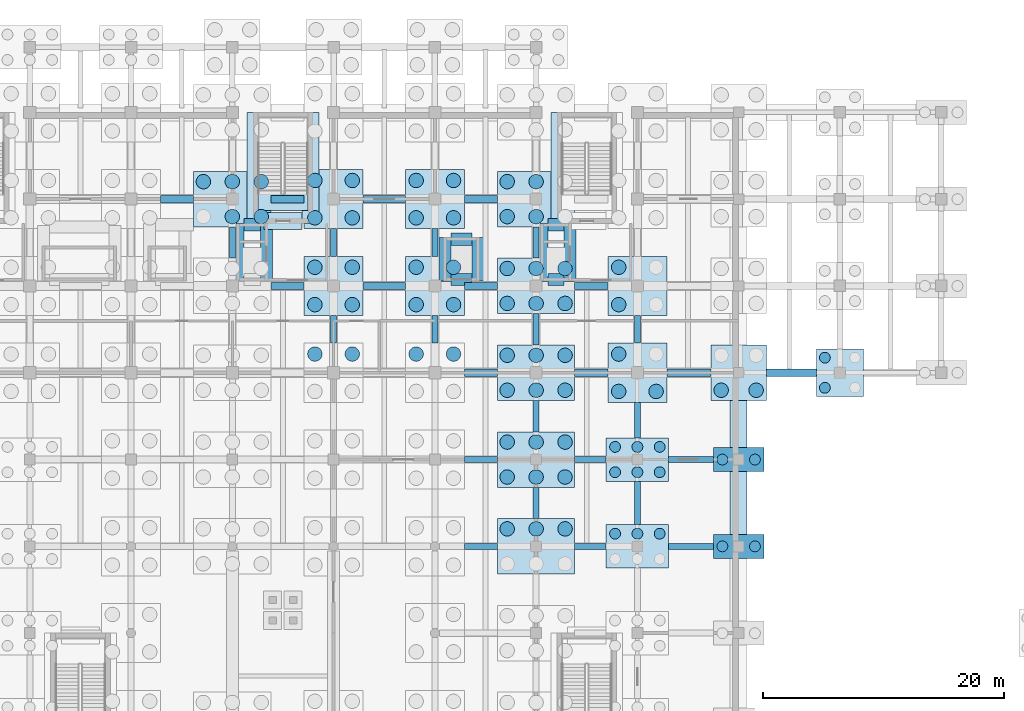
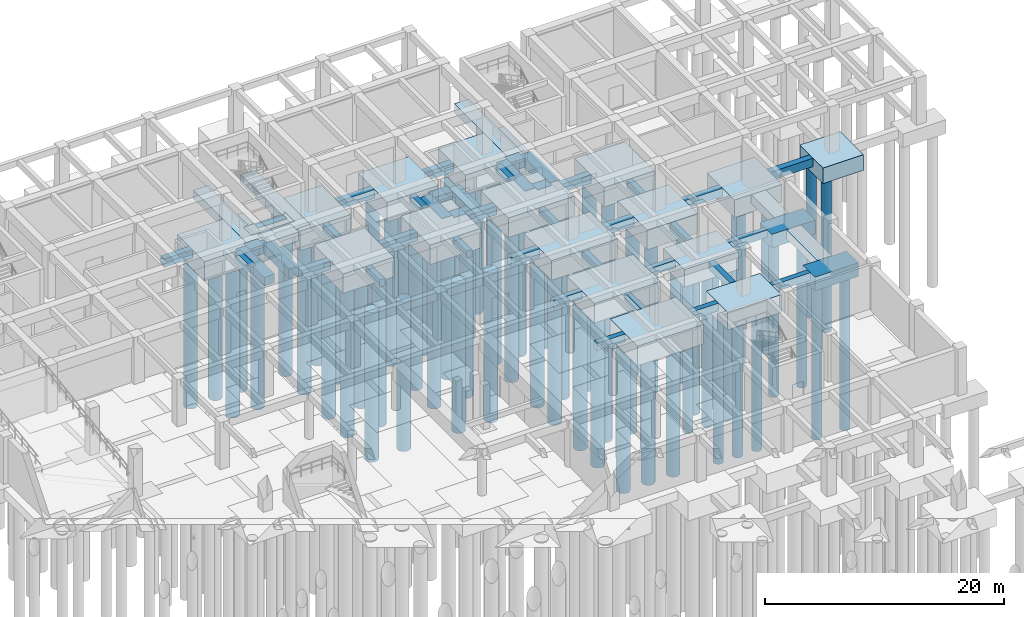
# One storey, part 8 of 26: 72 piles, 66 footings.
"""IFC4 building model written with IfcOpenShell, lengths in metres."""

from ifc_helpers import new_model, si_unit, direction, frame, origin, origin_2d, place, context, subcontext, project, spatial, rectangle, circle, extrude, material, material_profile, profile_set, type_object, element, save


model = new_model("IFC4")

# Units and contexts
model_context = context("Model", 3, precision=1e-05, world=origin(), true_north=direction((0.0, 1.0)))
body_context = subcontext(model_context, "Body", "Model", "MODEL_VIEW")
ifc_project = project(units=[si_unit("LENGTHUNIT", "METRE"), si_unit("AREAUNIT", "SQUARE_METRE"), si_unit("VOLUMEUNIT", "CUBIC_METRE"), si_unit("PLANEANGLEUNIT", "RADIAN"), si_unit("MASSUNIT", "GRAM", prefix="KILO")], contexts=[model_context])

# Site, building, storey
site_placement = place(None, origin())
site = spatial("IfcSite", under=ifc_project, at=site_placement, CompositionType="ELEMENT")
building_placement = place(site_placement, origin())
building = spatial("IfcBuilding", under=site, at=building_placement, Name="Kenerak Square Central Library", CompositionType="ELEMENT")
storey_placement = place(building_placement, frame((0.0, 0.0, -4.800048828125)))
storey = spatial("IfcBuildingStorey", under=building, at=storey_placement, Name="B1", CompositionType="ELEMENT", Elevation=-4.800048828125)

# Piles
ifc_material = material(Name="Concrete C40/50", Category="concrete")
ifc_material_profile_1 = material_profile(ifc_material, circle(Radius=0.60009765625, at=origin_2d()), Name="BP D1200")
ifc_profile_set_1 = profile_set([ifc_material_profile_1], Name="Concrete C40/50")
pile_type_1 = type_object("IfcPileType", Name="Bored Pile D1200 C40/50", PredefinedType="BORED", material=ifc_profile_set_1)
for number, where, z_axis, x_axis, name in (
    (1, (83.60009765625, 101.75, -1.89990234375), (0.0, 0.0, -1.0), (1.0, 0.0, 0.0), "Bored Pile BP-1200 0398"),
    (2, (86.0, 101.75, -1.89990234375), (0.0, 0.0, -1.0), (1.0, 0.0, 0.0), "Bored Pile BP-1200 0399"),
    (3, (81.199951171875, 104.64990234375, -1.89990234375), (0.0, 0.0, -1.0), (1.0, 0.0, 0.0), "Bored Pile BP-1200 0400"),
    (4, (83.60009765625, 104.64990234375, -1.89990234375), (0.0, 0.0, -1.0), (1.0, 0.0, 0.0), "Bored Pile BP-1200 0401"),
    (5, (86.0, 104.64990234375, -1.89990234375), (0.0, 0.0, -1.0), (1.0, 0.0, 0.0), "Bored Pile BP-1200 0402"),
    (6, (90.449951171875, 90.35009765625, -1.89990234375), (0.0, 0.0, -1.0), (1.0, 0.0, 0.0), "Bored Pile BP-1200 0451"),
    (7, (93.550048828125, 90.35009765625, -1.89990234375), (0.0, 0.0, -1.0), (1.0, 0.0, 0.0), "Bored Pile BP-1200 0452"),
    (8, (90.449951171875, 94.449951171875, -1.89990234375), (0.0, 0.0, -1.0), (1.0, 0.0, 0.0), "Bored Pile BP-1200 0453"),
    (9, (93.550048828125, 94.449951171875, -1.89990234375), (0.0, 0.0, -1.0), (1.0, 0.0, 0.0), "Bored Pile BP-1200 0454"),
    (10, (90.449951171875, 97.550048828125, -1.89990234375), (0.0, 0.0, -1.0), (1.0, 0.0, 0.0), "Bored Pile BP-1200 0455"),
    (11, (93.550048828125, 97.550048828125, -1.89990234375), (0.0, 0.0, -1.0), (1.0, 0.0, 0.0), "Bored Pile BP-1200 0456"),
    (12, (90.449951171875, 101.64990234375, -1.89990234375), (0.0, 0.0, -1.0), (1.0, 0.0, 0.0), "Bored Pile BP-1200 0457"),
    (13, (93.550048828125, 101.64990234375, -1.89990234375), (0.0, 0.0, -1.0), (1.0, 0.0, 0.0), "Bored Pile BP-1200 0458"),
    (14, (90.449951171875, 104.75, -1.89990234375), (0.0, 0.0, -1.0), (1.0, 0.0, 0.0), "Bored Pile BP-1200 0459"),
    (15, (93.550048828125, 104.75, -1.89990234375), (0.0, 0.0, -1.0), (1.0, 0.0, 0.0), "Bored Pile BP-1200 0460"),
    (16, (98.85009765625, 90.35009765625, -1.89990234375), (0.0, 0.0, -1.0), (1.0, 0.0, 0.0), "Bored Pile BP-1200 0511"),
    (17, (101.949951171875, 90.35009765625, -1.89990234375), (0.0, 0.0, -1.0), (1.0, 0.0, 0.0), "Bored Pile BP-1200 0512"),
    (18, (98.85009765625, 94.449951171875, -1.89990234375), (0.0, 0.0, -1.0), (1.0, 0.0, 0.0), "Bored Pile BP-1200 0513"),
    (19, (101.949951171875, 94.449951171875, -1.89990234375), (0.0, 0.0, -1.0), (1.0, 0.0, 0.0), "Bored Pile BP-1200 0514"),
    (20, (98.85009765625, 97.550048828125, -1.89990234375), (0.0, 0.0, -1.0), (1.0, 0.0, 0.0), "Bored Pile BP-1200 0515"),
    (21, (101.949951171875, 97.550048828125, -1.89990234375), (0.0, 0.0, -1.0), (1.0, 0.0, 0.0), "Bored Pile BP-1200 0516"),
    (22, (98.85009765625, 101.64990234375, -1.89990234375), (0.0, 0.0, -1.0), (1.0, 0.0, 0.0), "Bored Pile BP-1200 0517"),
    (23, (101.949951171875, 101.64990234375, -1.89990234375), (0.0, 0.0, -1.0), (1.0, 0.0, 0.0), "Bored Pile BP-1200 0518"),
    (24, (98.85009765625, 104.75, -1.89990234375), (0.0, 0.0, -1.0), (1.0, 0.0, 0.0), "Bored Pile BP-1200 0519"),
    (25, (101.949951171875, 104.75, -1.89990234375), (0.0, 0.0, -1.0), (1.0, 0.0, 0.0), "Bored Pile BP-1200 0520"),
    (26, (106.39990234375, 75.85009765625, -1.89990234375), (0.0, 0.0, -1.0), (1.0, 0.0, 0.0), "Bored Pile BP-1200 0572"),
    (27, (108.800048828125, 75.85009765625, -1.89990234375), (0.0, 0.0, -1.0), (1.0, 0.0, 0.0), "Bored Pile BP-1200 0573"),
    (28, (111.199951171875, 75.85009765625, -1.89990234375), (0.0, 0.0, -1.0), (1.0, 0.0, 0.0), "Bored Pile BP-1200 0574"),
    (29, (106.39990234375, 80.14990234375, -1.89990234375), (0.0, 0.0, -1.0), (1.0, 0.0, 0.0), "Bored Pile BP-1200 0575"),
    (30, (108.800048828125, 80.14990234375, -1.89990234375), (0.0, 0.0, -1.0), (1.0, 0.0, 0.0), "Bored Pile BP-1200 0576"),
    (31, (111.199951171875, 80.14990234375, -1.89990234375), (0.0, 0.0, -1.0), (1.0, 0.0, 0.0), "Bored Pile BP-1200 0577"),
    (32, (106.39990234375, 83.050048828125, -1.89990234375), (0.0, 0.0, -1.0), (1.0, 0.0, 0.0), "Bored Pile BP-1200 0578"),
    (33, (108.800048828125, 83.050048828125, -1.89990234375), (0.0, 0.0, -1.0), (1.0, 0.0, 0.0), "Bored Pile BP-1200 0579"),
    (34, (111.199951171875, 83.050048828125, -1.89990234375), (0.0, 0.0, -1.0), (1.0, 0.0, 0.0), "Bored Pile BP-1200 0580"),
    (35, (106.39990234375, 87.35009765625, -1.89990234375), (0.0, 0.0, -1.0), (1.0, 0.0, 0.0), "Bored Pile BP-1200 0581"),
    (36, (108.800048828125, 87.35009765625, -1.89990234375), (0.0, 0.0, -1.0), (1.0, 0.0, 0.0), "Bored Pile BP-1200 0582"),
    (37, (111.199951171875, 87.35009765625, -1.89990234375), (0.0, 0.0, -1.0), (1.0, 0.0, 0.0), "Bored Pile BP-1200 0583"),
    (38, (106.39990234375, 90.25, -1.89990234375), (0.0, 0.0, -1.0), (1.0, 0.0, 0.0), "Bored Pile BP-1200 0584"),
    (39, (108.800048828125, 90.25, -1.89990234375), (0.0, 0.0, -1.0), (1.0, 0.0, 0.0), "Bored Pile BP-1200 0585"),
    (40, (111.199951171875, 90.25, -1.89990234375), (0.0, 0.0, -1.0), (1.0, 0.0, 0.0), "Bored Pile BP-1200 0586"),
    (41, (106.39990234375, 94.550048828125, -1.89990234375), (0.0, 0.0, -1.0), (1.0, 0.0, 0.0), "Bored Pile BP-1200 0587"),
    (42, (108.800048828125, 94.550048828125, -1.89990234375), (0.0, 0.0, -1.0), (1.0, 0.0, 0.0), "Bored Pile BP-1200 0588"),
    (43, (111.199951171875, 94.550048828125, -1.89990234375), (0.0, 0.0, -1.0), (1.0, 0.0, 0.0), "Bored Pile BP-1200 0589"),
    (44, (106.39990234375, 97.449951171875, -1.89990234375), (0.0, 0.0, -1.0), (1.0, 0.0, 0.0), "Bored Pile BP-1200 0590"),
    (45, (108.800048828125, 97.449951171875, -1.89990234375), (0.0, 0.0, -1.0), (1.0, 0.0, 0.0), "Bored Pile BP-1200 0591"),
    (46, (111.199951171875, 97.449951171875, -1.89990234375), (0.0, 0.0, -1.0), (1.0, 0.0, 0.0), "Bored Pile BP-1200 0592"),
    (47, (106.39990234375, 101.75, -1.89990234375), (0.0, 0.0, -1.0), (1.0, 0.0, 0.0), "Bored Pile BP-1200 0593"),
    (48, (108.800048828125, 101.75, -1.89990234375), (0.0, 0.0, -1.0), (1.0, 0.0, 0.0), "Bored Pile BP-1200 0594"),
    (49, (106.39990234375, 104.64990234375, -1.89990234375), (0.0, 0.0, -1.0), (1.0, 0.0, 0.0), "Bored Pile BP-1200 0596"),
    (50, (108.800048828125, 104.64990234375, -1.89990234375), (0.0, 0.0, -1.0), (1.0, 0.0, 0.0), "Bored Pile BP-1200 0597"),
    (51, (115.64990234375, 87.25, -1.89990234375), (0.0, 0.0, -1.0), (1.0, 0.0, 0.0), "Bored Pile BP-1200 0671"),
    (52, (118.75, 87.25, -1.89990234375), (0.0, 0.0, -1.0), (1.0, 0.0, 0.0), "Bored Pile BP-1200 0672"),
    (53, (115.64990234375, 90.35009765625, -1.89990234375), (0.0, 0.0, -1.0), (1.0, 0.0, 0.0), "Bored Pile BP-1200 0673"),
    (54, (115.64990234375, 94.449951171875, -1.89990234375), (0.0, 0.0, -1.0), (1.0, 0.0, 0.0), "Bored Pile BP-1200 0675"),
    (55, (115.64990234375, 97.550048828125, -1.89990234375), (0.0, 0.0, -1.0), (1.0, 0.0, 0.0), "Bored Pile BP-1200 0677"),
):
    element("IfcPile", number, at=place(storey_placement, frame(where, z_axis=z_axis, x_axis=x_axis)), inside=storey, type_object=pile_type_1, Name=name, PredefinedType="BORED", context=body_context, shape_type="SweptSolid", body=[
        extrude(circle(Radius=0.60009765625, at=origin_2d()), origin(), (0.0, 0.0, 1.0), 15.300048828125),
    ])
for number, where, z_axis, x_axis, name in (
    (56, (124.14990234375, 87.35009765625, -1.699951171875), (0.0, 0.0, -1.0), (1.0, 0.0, 0.0), "Bored Pile BP-1200 0713"),
    (57, (127.050048828125, 87.35009765625, -1.699951171875), (0.0, 0.0, -1.0), (1.0, 0.0, 0.0), "Bored Pile BP-1200 0714"),
):
    element("IfcPile", number, at=place(storey_placement, frame(where, z_axis=z_axis, x_axis=x_axis)), inside=storey, type_object=pile_type_1, Name=name, PredefinedType="BORED", context=body_context, shape_type="SweptSolid", body=[
        extrude(circle(Radius=0.60009765625, at=origin_2d()), origin(), (0.0, 0.0, 1.0), 15.5),
    ])
ifc_material_profile_2 = material_profile(ifc_material, circle(Radius=0.449951171875, at=origin_2d()), Name="BP D900")
ifc_profile_set_2 = profile_set([ifc_material_profile_2], Name="Concrete C40/50")
pile_type_2 = type_object("IfcPileType", Name="Bored Pile D900 C40/50", PredefinedType="BORED", material=ifc_profile_set_2)
for number, where, z_axis, x_axis, name in (
    (58, (115.35009765625, 75.449951171875, -1.699951171875), (0.0, 0.0, -1.0), (1.0, 0.0, 0.0), "Bored Pile BP-900 0662"),
    (59, (117.199951171875, 75.449951171875, -1.699951171875), (0.0, 0.0, -1.0), (1.0, 0.0, 0.0), "Bored Pile BP-900 0663"),
    (60, (119.050048828125, 75.449951171875, -1.699951171875), (0.0, 0.0, -1.0), (1.0, 0.0, 0.0), "Bored Pile BP-900 0664"),
    (61, (115.35009765625, 80.550048828125, -1.699951171875), (0.0, 0.0, -1.0), (1.0, 0.0, 0.0), "Bored Pile BP-900 0665"),
    (62, (117.199951171875, 80.550048828125, -1.699951171875), (0.0, 0.0, -1.0), (1.0, 0.0, 0.0), "Bored Pile BP-900 0666"),
    (63, (119.050048828125, 80.550048828125, -1.699951171875), (0.0, 0.0, -1.0), (1.0, 0.0, 0.0), "Bored Pile BP-900 0667"),
    (64, (115.35009765625, 82.64990234375, -1.699951171875), (0.0, 0.0, -1.0), (1.0, 0.0, 0.0), "Bored Pile BP-900 0668"),
    (65, (117.199951171875, 82.64990234375, -1.699951171875), (0.0, 0.0, -1.0), (1.0, 0.0, 0.0), "Bored Pile BP-900 0669"),
    (66, (119.050048828125, 82.64990234375, -1.699951171875), (0.0, 0.0, -1.0), (1.0, 0.0, 0.0), "Bored Pile BP-900 0670"),
):
    element("IfcPile", number, at=place(storey_placement, frame(where, z_axis=z_axis, x_axis=x_axis)), inside=storey, type_object=pile_type_2, Name=name, PredefinedType="BORED", context=body_context, shape_type="SweptSolid", body=[
        extrude(circle(Radius=0.449951171875, at=origin_2d()), origin(), (0.0, 0.0, 1.0), 15.5),
    ])
for number, where, z_axis, x_axis, name in (
    (67, (124.25, 74.39990234375, -1.300048828125), (0.0, 0.0, -1.0), (1.0, 0.0, 0.0), "Bored Pile BP-900 0709"),
    (68, (126.949951171875, 74.39990234375, -1.300048828125), (0.0, 0.0, -1.0), (1.0, 0.0, 0.0), "Bored Pile BP-900 0710"),
    (69, (124.25, 81.60009765625, -1.300048828125), (0.0, 0.0, -1.0), (1.0, 0.0, 0.0), "Bored Pile BP-900 0711"),
    (70, (126.949951171875, 81.60009765625, -1.300048828125), (0.0, 0.0, -1.0), (1.0, 0.0, 0.0), "Bored Pile BP-900 0712"),
):
    element("IfcPile", number, at=place(storey_placement, frame(where, z_axis=z_axis, x_axis=x_axis)), inside=storey, type_object=pile_type_2, Name=name, PredefinedType="BORED", context=body_context, shape_type="SweptSolid", body=[
        extrude(circle(Radius=0.449951171875, at=origin_2d()), origin(), (0.0, 0.0, 1.0), 15.89990234375),
    ])
for number, where, z_axis, x_axis, name in (
    (71, (132.75, 87.550048828125, -1.5), (0.0, 0.0, -1.0), (1.0, 0.0, 0.0), "Bored Pile BP-900 0745"),
    (72, (132.75, 90.050048828125, -1.5), (0.0, 0.0, -1.0), (1.0, 0.0, 0.0), "Bored Pile BP-900 0747"),
):
    element("IfcPile", number, at=place(storey_placement, frame(where, z_axis=z_axis, x_axis=x_axis)), inside=storey, type_object=pile_type_2, Name=name, PredefinedType="BORED", context=body_context, shape_type="SweptSolid", body=[
        extrude(circle(Radius=0.449951171875, at=origin_2d()), origin(), (0.0, 0.0, 1.0), 15.699951171875),
    ])

# Footings
footing_type_1 = type_object("IfcFootingType", Name="Ground Tie Beam GB-01 500x750", PredefinedType="FOOTING_BEAM", material=ifc_material)
footing_1_placement = place(storey_placement, frame((83.60009765625, 99.60009765625, -0.75), z_axis=(0.0, 0.0, 1.0), x_axis=(1.0, 0.0, 0.0)))
element("IfcFooting", 73, at=footing_1_placement, inside=storey, type_object=footing_type_1, Name="Ground Tie Beam 149", PredefinedType="FOOTING_BEAM", context=body_context, shape_type="SweptSolid", body=[
    extrude(rectangle(XDim=0.5, YDim=2.60009765625, at=origin_2d()), origin(), (0.0, 0.0, 1.0), 0.75),
])
for number, where, z_axis, x_axis, name in (
    (74, (92.0, 92.39990234375, -0.75), (0.0, 0.0, 1.0), (1.0, 0.0, 0.0), "Ground Tie Beam 170"),
    (75, (92.0, 99.60009765625, -0.75), (0.0, 0.0, 1.0), (1.0, 0.0, 0.0), "Ground Tie Beam 172"),
):
    element("IfcFooting", number, at=place(storey_placement, frame(where, z_axis=z_axis, x_axis=x_axis)), inside=storey, type_object=footing_type_1, Name=name, PredefinedType="FOOTING_BEAM", context=body_context, shape_type="SweptSolid", body=[
        extrude(rectangle(XDim=0.5, YDim=2.300048828125, at=origin_2d()), origin(), (0.0, 0.0, 1.0), 0.75),
    ])
for number, where, z_axis, x_axis, name in (
    (76, (104.22509765625, 74.39990234375, -0.75), (0.0, 0.0, 1.0), (1.0, 0.0, 0.0), "Ground Tie Beam 191"),
    (77, (104.22509765625, 81.60009765625, -0.75), (0.0, 0.0, 1.0), (1.0, 0.0, 0.0), "Ground Tie Beam 193"),
):
    element("IfcFooting", number, at=place(storey_placement, frame(where, z_axis=z_axis, x_axis=x_axis)), inside=storey, type_object=footing_type_1, Name=name, PredefinedType="FOOTING_BEAM", context=body_context, shape_type="SweptSolid", body=[
        extrude(rectangle(XDim=2.75, YDim=0.5, at=origin_2d()), origin(), (0.0, 0.0, 1.0), 0.75),
    ])
for number, where, z_axis, x_axis, name in (
    (78, (100.39990234375, 92.39990234375, -0.75), (0.0, 0.0, 1.0), (1.0, 0.0, 0.0), "Ground Tie Beam 196"),
    (79, (100.39990234375, 99.60009765625, -0.75), (0.0, 0.0, 1.0), (1.0, 0.0, 0.0), "Ground Tie Beam 198"),
):
    element("IfcFooting", number, at=place(storey_placement, frame(where, z_axis=z_axis, x_axis=x_axis)), inside=storey, type_object=footing_type_1, Name=name, PredefinedType="FOOTING_BEAM", context=body_context, shape_type="SweptSolid", body=[
        extrude(rectangle(XDim=0.5, YDim=2.300048828125, at=origin_2d()), origin(), (0.0, 0.0, 1.0), 0.75),
    ])
footing_2_placement = place(storey_placement, frame((113.300048828125, 74.39990234375, -0.75), z_axis=(0.0, 0.0, 1.0), x_axis=(1.0, 0.0, 0.0)))
element("IfcFooting", 80, at=footing_2_placement, inside=storey, type_object=footing_type_1, Name="Ground Tie Beam 217", PredefinedType="FOOTING_BEAM", context=body_context, shape_type="SweptSolid", body=[
    extrude(rectangle(XDim=2.60009765625, YDim=0.5, at=origin_2d()), origin(), (0.0, 0.0, 1.0), 0.75),
])
footing_3_placement = place(storey_placement, frame((108.800048828125, 78.0, -0.75), z_axis=(0.0, 0.0, 1.0), x_axis=(1.0, 0.0, 0.0)))
element("IfcFooting", 81, at=footing_3_placement, inside=storey, type_object=footing_type_1, Name="Ground Tie Beam 218", PredefinedType="FOOTING_BEAM", context=body_context, shape_type="SweptSolid", body=[
    extrude(rectangle(XDim=0.5, YDim=2.60009765625, at=origin_2d()), origin(), (0.0, 0.0, 1.0), 0.75),
])
footing_4_placement = place(storey_placement, frame((113.300048828125, 81.60009765625, -0.75), z_axis=(0.0, 0.0, 1.0), x_axis=(1.0, 0.0, 0.0)))
element("IfcFooting", 82, at=footing_4_placement, inside=storey, type_object=footing_type_1, Name="Ground Tie Beam 219", PredefinedType="FOOTING_BEAM", context=body_context, shape_type="SweptSolid", body=[
    extrude(rectangle(XDim=2.60009765625, YDim=0.5, at=origin_2d()), origin(), (0.0, 0.0, 1.0), 0.75),
])
for number, where, z_axis, x_axis, name in (
    (83, (108.800048828125, 85.199951171875, -0.75), (0.0, 0.0, 1.0), (1.0, 0.0, 0.0), "Ground Tie Beam 220"),
    (84, (108.800048828125, 92.39990234375, -0.75), (0.0, 0.0, 1.0), (1.0, 0.0, 0.0), "Ground Tie Beam 222"),
    (85, (108.800048828125, 99.60009765625, -0.75), (0.0, 0.0, 1.0), (1.0, 0.0, 0.0), "Ground Tie Beam 224"),
):
    element("IfcFooting", number, at=place(storey_placement, frame(where, z_axis=z_axis, x_axis=x_axis)), inside=storey, type_object=footing_type_1, Name=name, PredefinedType="FOOTING_BEAM", context=body_context, shape_type="SweptSolid", body=[
        extrude(rectangle(XDim=0.5, YDim=2.60009765625, at=origin_2d()), origin(), (0.0, 0.0, 1.0), 0.75),
    ])
footing_5_placement = place(storey_placement, frame((121.64990234375, 74.39990234375, -0.75), z_axis=(0.0, 0.0, 1.0), x_axis=(1.0, 0.0, 0.0)))
element("IfcFooting", 86, at=footing_5_placement, inside=storey, type_object=footing_type_1, Name="Ground Tie Beam 241", PredefinedType="FOOTING_BEAM", context=body_context, shape_type="SweptSolid", body=[
    extrude(rectangle(XDim=3.699951171875, YDim=0.5, at=origin_2d()), origin(), (0.0, 0.0, 1.0), 0.75),
])
footing_6_placement = place(storey_placement, frame((117.199951171875, 78.0, -0.75), z_axis=(0.0, 0.0, 1.0), x_axis=(1.0, 0.0, 0.0)))
element("IfcFooting", 87, at=footing_6_placement, inside=storey, type_object=footing_type_1, Name="Ground Tie Beam 242", PredefinedType="FOOTING_BEAM", context=body_context, shape_type="SweptSolid", body=[
    extrude(rectangle(XDim=0.5, YDim=3.60009765625, at=origin_2d()), origin(), (0.0, 0.0, 1.0), 0.75),
])
footing_7_placement = place(storey_placement, frame((121.64990234375, 81.60009765625, -0.75), z_axis=(0.0, 0.0, 1.0), x_axis=(1.0, 0.0, 0.0)))
element("IfcFooting", 88, at=footing_7_placement, inside=storey, type_object=footing_type_1, Name="Ground Tie Beam 243", PredefinedType="FOOTING_BEAM", context=body_context, shape_type="SweptSolid", body=[
    extrude(rectangle(XDim=3.699951171875, YDim=0.5, at=origin_2d()), origin(), (0.0, 0.0, 1.0), 0.75),
])
footing_8_placement = place(storey_placement, frame((117.199951171875, 84.875, -0.75), z_axis=(0.0, 0.0, 1.0), x_axis=(1.0, 0.0, 0.0)))
element("IfcFooting", 89, at=footing_8_placement, inside=storey, type_object=footing_type_1, Name="Ground Tie Beam 244", PredefinedType="FOOTING_BEAM", context=body_context, shape_type="SweptSolid", body=[
    extrude(rectangle(XDim=0.5, YDim=2.949951171875, at=origin_2d()), origin(), (0.0, 0.0, 1.0), 0.75),
])
footing_9_placement = place(storey_placement, frame((117.199951171875, 92.39990234375, -0.75), z_axis=(0.0, 0.0, 1.0), x_axis=(1.0, 0.0, 0.0)))
element("IfcFooting", 90, at=footing_9_placement, inside=storey, type_object=footing_type_1, Name="Ground Tie Beam 246", PredefinedType="FOOTING_BEAM", context=body_context, shape_type="SweptSolid", body=[
    extrude(rectangle(XDim=0.5, YDim=2.300048828125, at=origin_2d()), origin(), (0.0, 0.0, 1.0), 0.75),
])
footing_type_2 = type_object("IfcFootingType", Name="Ground Tie Beam GB-03 600x850", PredefinedType="FOOTING_BEAM", material=ifc_material)
for number, where, z_axis, x_axis, name in (
    (91, (79.02490234375, 103.199951171875, -0.85009765625), (0.0, 0.0, 1.0), (1.0, 0.0, 0.0), "Ground Tie Beam 127"),
    (92, (88.175048828125, 96.0, -0.85009765625), (0.0, 0.0, 1.0), (1.0, 0.0, 0.0), "Ground Tie Beam 148"),
    (93, (88.175048828125, 103.199951171875, -0.85009765625), (0.0, 0.0, 1.0), (1.0, 0.0, 0.0), "Ground Tie Beam 150"),
):
    element("IfcFooting", number, at=place(storey_placement, frame(where, z_axis=z_axis, x_axis=x_axis)), inside=storey, type_object=footing_type_2, Name=name, PredefinedType="FOOTING_BEAM", context=body_context, shape_type="SweptSolid", body=[
        extrude(rectangle(XDim=2.75, YDim=0.60009765625, at=origin_2d()), origin(), (0.0, 0.0, 1.0), 0.85009765625),
    ])
for number, where, z_axis, x_axis, name in (
    (94, (96.199951171875, 96.0, -0.85009765625), (0.0, 0.0, 1.0), (1.0, 0.0, 0.0), "Ground Tie Beam 171"),
    (95, (96.199951171875, 103.199951171875, -0.85009765625), (0.0, 0.0, 1.0), (1.0, 0.0, 0.0), "Ground Tie Beam 173"),
):
    element("IfcFooting", number, at=place(storey_placement, frame(where, z_axis=z_axis, x_axis=x_axis)), inside=storey, type_object=footing_type_2, Name=name, PredefinedType="FOOTING_BEAM", context=body_context, shape_type="SweptSolid", body=[
        extrude(rectangle(XDim=3.5, YDim=0.60009765625, at=origin_2d()), origin(), (0.0, 0.0, 1.0), 0.85009765625),
    ])
for number, where, z_axis, x_axis, name in (
    (96, (104.22509765625, 88.800048828125, -0.85009765625), (0.0, 0.0, 1.0), (1.0, 0.0, 0.0), "Ground Tie Beam 195"),
    (97, (104.22509765625, 96.0, -0.85009765625), (0.0, 0.0, 1.0), (1.0, 0.0, 0.0), "Ground Tie Beam 197"),
    (98, (104.22509765625, 103.199951171875, -0.85009765625), (0.0, 0.0, 1.0), (1.0, 0.0, 0.0), "Ground Tie Beam 199"),
    (99, (113.375, 88.800048828125, -0.85009765625), (0.0, 0.0, 1.0), (1.0, 0.0, 0.0), "Ground Tie Beam 221"),
    (100, (113.375, 96.0, -0.85009765625), (0.0, 0.0, 1.0), (1.0, 0.0, 0.0), "Ground Tie Beam 223"),
):
    element("IfcFooting", number, at=place(storey_placement, frame(where, z_axis=z_axis, x_axis=x_axis)), inside=storey, type_object=footing_type_2, Name=name, PredefinedType="FOOTING_BEAM", context=body_context, shape_type="SweptSolid", body=[
        extrude(rectangle(XDim=2.75, YDim=0.60009765625, at=origin_2d()), origin(), (0.0, 0.0, 1.0), 0.85009765625),
    ])
footing_10_placement = place(storey_placement, frame((121.47509765625, 88.800048828125, -0.85009765625), z_axis=(0.0, 0.0, 1.0), x_axis=(1.0, 0.0, 0.0)))
element("IfcFooting", 101, at=footing_10_placement, inside=storey, type_object=footing_type_2, Name="Ground Tie Beam 245", PredefinedType="FOOTING_BEAM", context=body_context, shape_type="SweptSolid", body=[
    extrude(rectangle(XDim=3.64990234375, YDim=0.60009765625, at=origin_2d()), origin(), (0.0, 0.0, 1.0), 0.85009765625),
])
footing_11_placement = place(storey_placement, frame((129.97509765625, 88.800048828125, -0.85009765625), z_axis=(0.0, 0.0, 1.0), x_axis=(1.0, 0.0, 0.0)))
element("IfcFooting", 102, at=footing_11_placement, inside=storey, type_object=footing_type_2, Name="Ground Tie Beam 256", PredefinedType="FOOTING_BEAM", context=body_context, shape_type="SweptSolid", body=[
    extrude(rectangle(XDim=4.14990234375, YDim=0.60009765625, at=origin_2d()), origin(), (0.0, 0.0, 1.0), 0.85009765625),
])
footing_type_3 = type_object("IfcFootingType", Name="Pile Cap PC-01 4200x2000x1400", PredefinedType="PILE_CAP", material=ifc_material)
for number, where, z_axis, x_axis, name in (
    (103, (125.60009765625, 74.39990234375, -1.39990234375), (0.0, 0.0, 1.0), (1.0, 0.0, 0.0), "Pile Cap PC-01 165"),
    (104, (125.60009765625, 81.60009765625, -1.39990234375), (0.0, 0.0, 1.0), (1.0, 0.0, 0.0), "Pile Cap PC-01 166"),
):
    element("IfcFooting", number, at=place(storey_placement, frame(where, z_axis=z_axis, x_axis=x_axis)), inside=storey, type_object=footing_type_3, Name=name, PredefinedType="PILE_CAP", context=body_context, shape_type="SweptSolid", body=[
        extrude(rectangle(XDim=4.199951171875, YDim=2.0, at=origin_2d()), origin(), (0.0, 0.0, 1.0), 1.39990234375),
    ])
footing_type_4 = type_object("IfcFootingType", Name="Pile Cap PC-03 3900x3900x1600", PredefinedType="PILE_CAP", material=ifc_material)
footing_12_placement = place(storey_placement, frame((134.0, 88.800048828125, -1.60009765625), z_axis=(0.0, 0.0, 1.0), x_axis=(1.0, 0.0, 0.0)))
element("IfcFooting", 105, at=footing_12_placement, inside=storey, type_object=footing_type_4, Name="Pile Cap PC-03 175", PredefinedType="PILE_CAP", context=body_context, shape_type="SweptSolid", body=[
    extrude(rectangle(XDim=3.89990234375, YDim=3.89990234375, at=origin_2d()), origin(), (0.0, 0.0, 1.0), 1.60009765625),
])
footing_type_5 = type_object("IfcFootingType", Name="Pile Cap PC-04 4600x4600x1800", PredefinedType="PILE_CAP", material=ifc_material)
footing_13_placement = place(storey_placement, frame((125.60009765625, 88.800048828125, -1.7998046875), z_axis=(0.0, 0.0, 1.0), x_axis=(1.0, 0.0, 0.0)))
element("IfcFooting", 106, at=footing_13_placement, inside=storey, type_object=footing_type_5, Name="Pile Cap PC-04 167", PredefinedType="PILE_CAP", context=body_context, shape_type="SweptSolid", body=[
    extrude(rectangle(XDim=4.60009765625, YDim=4.60009765625, at=origin_2d()), origin(), (0.0, 0.0, 1.0), 1.800048828125),
])
footing_type_6 = type_object("IfcFootingType", Name="Pile Cap PC-05 5200x3600x1800", PredefinedType="PILE_CAP", material=ifc_material)
for number, where, z_axis, x_axis, name in (
    (107, (117.199951171875, 74.39990234375, -1.7998046875), (0.0, 0.0, 1.0), (1.0, 0.0, 0.0), "Pile Cap PC-05 152"),
    (108, (117.199951171875, 81.60009765625, -1.7998046875), (0.0, 0.0, 1.0), (1.0, 0.0, 0.0), "Pile Cap PC-05 153"),
):
    element("IfcFooting", number, at=place(storey_placement, frame(where, z_axis=z_axis, x_axis=x_axis)), inside=storey, type_object=footing_type_6, Name=name, PredefinedType="PILE_CAP", context=body_context, shape_type="SweptSolid", body=[
        extrude(rectangle(XDim=5.199951171875, YDim=3.60009765625, at=origin_2d()), origin(), (0.0, 0.0, 1.0), 1.800048828125),
    ])
footing_type_7 = type_object("IfcFootingType", Name="Pile Cap PC-07 6400x4600x2000", PredefinedType="PILE_CAP", material=ifc_material)
for number, where, z_axis, x_axis, name in (
    (109, (83.60009765625, 103.199951171875, -2.0), (0.0, 0.0, 1.0), (1.0, 0.0, 0.0), "Pile Cap PC-07 097"),
    (110, (108.800048828125, 74.39990234375, -2.0), (0.0, 0.0, 1.0), (1.0, 0.0, 0.0), "Pile Cap PC-07 137"),
    (111, (108.800048828125, 81.60009765625, -2.0), (0.0, 0.0, 1.0), (1.0, 0.0, 0.0), "Pile Cap PC-07 138"),
    (112, (108.800048828125, 88.800048828125, -2.0), (0.0, 0.0, 1.0), (1.0, 0.0, 0.0), "Pile Cap PC-07 139"),
    (113, (108.800048828125, 96.0, -2.0), (0.0, 0.0, 1.0), (1.0, 0.0, 0.0), "Pile Cap PC-07 140"),
    (114, (108.800048828125, 103.199951171875, -2.0), (0.0, 0.0, 1.0), (1.0, 0.0, 0.0), "Pile Cap PC-07 141"),
):
    element("IfcFooting", number, at=place(storey_placement, frame(where, z_axis=z_axis, x_axis=x_axis)), inside=storey, type_object=footing_type_7, Name=name, PredefinedType="PILE_CAP", context=body_context, shape_type="SweptSolid", body=[
        extrude(rectangle(XDim=6.39990234375, YDim=4.60009765625, at=origin_2d()), origin(), (0.0, 0.0, 1.0), 2.0),
    ])
footing_type_8 = type_object("IfcFootingType", Name="Pile Cap PC-08 4900x4900x2000", PredefinedType="PILE_CAP", material=ifc_material)
for number, where, z_axis, x_axis, name in (
    (115, (92.0, 96.0, -2.0), (0.0, 0.0, 1.0), (1.0, 0.0, 0.0), "Pile Cap PC-08 110"),
    (116, (92.0, 103.199951171875, -2.0), (0.0, 0.0, 1.0), (1.0, 0.0, 0.0), "Pile Cap PC-08 111"),
    (117, (100.39990234375, 96.0, -2.0), (0.0, 0.0, 1.0), (1.0, 0.0, 0.0), "Pile Cap PC-08 125"),
    (118, (100.39990234375, 103.199951171875, -2.0), (0.0, 0.0, 1.0), (1.0, 0.0, 0.0), "Pile Cap PC-08 126"),
    (119, (117.199951171875, 88.800048828125, -2.0), (0.0, 0.0, 1.0), (1.0, 0.0, 0.0), "Pile Cap PC-08 154"),
    (120, (117.199951171875, 96.0, -2.0), (0.0, 0.0, 1.0), (1.0, 0.0, 0.0), "Pile Cap PC-08 155"),
):
    element("IfcFooting", number, at=place(storey_placement, frame(where, z_axis=z_axis, x_axis=x_axis)), inside=storey, type_object=footing_type_8, Name=name, PredefinedType="PILE_CAP", context=body_context, shape_type="SweptSolid", body=[
        extrude(rectangle(XDim=4.89990234375, YDim=4.89990234375, at=origin_2d()), origin(), (0.0, 0.0, 1.0), 2.0),
    ])
footing_type_9 = type_object("IfcFootingType", Name="Wall Strip Footing SF-01 1400x900", PredefinedType="STRIP_FOOTING", material=ifc_material)
footing_14_placement = place(storey_placement, frame((125.60009765625, 78.0, -0.89990234375), z_axis=(0.0, 0.0, 1.0), x_axis=(1.0, 0.0, 0.0)))
element("IfcFooting", 121, at=footing_14_placement, inside=storey, type_object=footing_type_9, Name="Strip Footing SF-01 037", PredefinedType="STRIP_FOOTING", context=body_context, shape_type="SweptSolid", body=[
    extrude(rectangle(XDim=1.39990234375, YDim=5.199951171875, at=origin_2d()), origin(), (0.0, 0.0, 1.0), 0.89990234375),
])
footing_15_placement = place(storey_placement, frame((125.60009765625, 84.550048828125, -0.89990234375), z_axis=(0.0, 0.0, 1.0), x_axis=(1.0, 0.0, 0.0)))
element("IfcFooting", 122, at=footing_15_placement, inside=storey, type_object=footing_type_9, Name="Strip Footing SF-01 038", PredefinedType="STRIP_FOOTING", context=body_context, shape_type="SweptSolid", body=[
    extrude(rectangle(XDim=1.39990234375, YDim=3.89990234375, at=origin_2d()), origin(), (0.0, 0.0, 1.0), 0.89990234375),
])
for number, where, z_axis, x_axis, name in (
    (123, (85.52001953125, 105.800048828125, -0.89990234375), (0.0, 0.0, 1.0), (1.0, 0.0, 0.0), "Strip Footing SF-01 SFCW-C2 W"),
    (124, (90.080078125, 105.800048828125, -0.89990234375), (0.0, 0.0, 1.0), (1.0, 0.0, 0.0), "Strip Footing SF-01 SFCW-C2 E"),
):
    element("IfcFooting", number, at=place(storey_placement, frame(where, z_axis=z_axis, x_axis=x_axis)), inside=storey, type_object=footing_type_9, Name=name, PredefinedType="STRIP_FOOTING", context=body_context, shape_type="SweptSolid", body=[
        extrude(rectangle(XDim=1.39990234375, YDim=9.199951171875, at=origin_2d()), origin(), (0.0, 0.0, 1.0), 0.89990234375),
    ])
footing_16_placement = place(storey_placement, frame((87.800048828125, 101.39990234375, -0.89990234375), z_axis=(0.0, 0.0, 1.0), x_axis=(1.0, 0.0, 0.0)))
element("IfcFooting", 125, at=footing_16_placement, inside=storey, type_object=footing_type_9, Name="Strip Footing SF-01 SFCW-C2 S", PredefinedType="STRIP_FOOTING", context=body_context, shape_type="SweptSolid", body=[
    extrude(rectangle(XDim=3.159912109375, YDim=1.39990234375, at=origin_2d()), origin(), (0.0, 0.0, 1.0), 0.89990234375),
])
footing_17_placement = place(storey_placement, frame((87.800048828125, 102.949951171875, -0.89990234375), z_axis=(0.0, 0.0, 1.0), x_axis=(1.0, 0.0, 0.0)))
element("IfcFooting", 126, at=footing_17_placement, inside=storey, type_object=footing_type_9, Name="Stair Threshold Footing ST-02 B1", PredefinedType="STRIP_FOOTING", context=body_context, shape_type="SweptSolid", body=[
    extrude(rectangle(XDim=4.159912109375, YDim=1.39990234375, at=origin_2d()), origin(), (0.0, 0.0, 1.0), 0.89990234375),
])
for number, where, z_axis, x_axis, name in (
    (127, (84.074951171875, 98.800048828125, -0.89990234375), (0.0, 0.0, 1.0), (1.0, 0.0, 0.0), "Strip Footing SF-01 SFFL-C2 W"),
    (128, (86.425048828125, 98.800048828125, -0.89990234375), (0.0, 0.0, 1.0), (1.0, 0.0, 0.0), "Strip Footing SF-01 SFFL-C2 E"),
):
    element("IfcFooting", number, at=place(storey_placement, frame(where, z_axis=z_axis, x_axis=x_axis)), inside=storey, type_object=footing_type_9, Name=name, PredefinedType="STRIP_FOOTING", context=body_context, shape_type="SweptSolid", body=[
        extrude(rectangle(XDim=1.0, YDim=4.800048828125, at=origin_2d()), origin(), (0.0, 0.0, 1.0), 0.89990234375),
    ])
footing_18_placement = place(storey_placement, frame((85.25, 101.074951171875, -0.89990234375), z_axis=(0.0, 0.0, 1.0), x_axis=(1.0, 0.0, 0.0)))
element("IfcFooting", 129, at=footing_18_placement, inside=storey, type_object=footing_type_9, Name="Strip Footing SF-01 SFFL-C2 N", PredefinedType="STRIP_FOOTING", context=body_context, shape_type="SweptSolid", body=[
    extrude(rectangle(XDim=1.35009765625, YDim=1.0, at=origin_2d()), origin(), (0.0, 0.0, 1.0), 0.89990234375),
])
footing_19_placement = place(storey_placement, frame((110.719970703125, 105.800048828125, -0.89990234375), z_axis=(0.0, 0.0, 1.0), x_axis=(1.0, 0.0, 0.0)))
element("IfcFooting", 130, at=footing_19_placement, inside=storey, type_object=footing_type_9, Name="Strip Footing SF-01 SFCW-C3 W", PredefinedType="STRIP_FOOTING", context=body_context, shape_type="SweptSolid", body=[
    extrude(rectangle(XDim=1.39990234375, YDim=9.199951171875, at=origin_2d()), origin(), (0.0, 0.0, 1.0), 0.89990234375),
])
for number, where, z_axis, x_axis, name in (
    (131, (109.27490234375, 98.800048828125, -0.89990234375), (0.0, 0.0, 1.0), (1.0, 0.0, 0.0), "Strip Footing SF-01 SFFL-C3 W"),
    (132, (111.625, 98.800048828125, -0.89990234375), (0.0, 0.0, 1.0), (1.0, 0.0, 0.0), "Strip Footing SF-01 SFFL-C3 E"),
):
    element("IfcFooting", number, at=place(storey_placement, frame(where, z_axis=z_axis, x_axis=x_axis)), inside=storey, type_object=footing_type_9, Name=name, PredefinedType="STRIP_FOOTING", context=body_context, shape_type="SweptSolid", body=[
        extrude(rectangle(XDim=1.0, YDim=4.800048828125, at=origin_2d()), origin(), (0.0, 0.0, 1.0), 0.89990234375),
    ])
for number, where, z_axis, x_axis, name in (
    (133, (110.449951171875, 96.52490234375, -0.89990234375), (0.0, 0.0, 1.0), (1.0, 0.0, 0.0), "Strip Footing SF-01 SFFL-C3 S"),
    (134, (110.449951171875, 101.074951171875, -0.89990234375), (0.0, 0.0, 1.0), (1.0, 0.0, 0.0), "Strip Footing SF-01 SFFL-C3 N"),
):
    element("IfcFooting", number, at=place(storey_placement, frame(where, z_axis=z_axis, x_axis=x_axis)), inside=storey, type_object=footing_type_9, Name=name, PredefinedType="STRIP_FOOTING", context=body_context, shape_type="SweptSolid", body=[
        extrude(rectangle(XDim=1.35009765625, YDim=1.0, at=origin_2d()), origin(), (0.0, 0.0, 1.0), 0.89990234375),
    ])
for number, where, z_axis, x_axis, name in (
    (135, (101.22509765625, 98.199951171875, -0.89990234375), (0.0, 0.0, 1.0), (1.0, 0.0, 0.0), "Strip Footing SF-01 SFGL W"),
    (136, (103.97509765625, 98.199951171875, -0.89990234375), (0.0, 0.0, 1.0), (1.0, 0.0, 0.0), "Strip Footing SF-01 SFGL E"),
):
    element("IfcFooting", number, at=place(storey_placement, frame(where, z_axis=z_axis, x_axis=x_axis)), inside=storey, type_object=footing_type_9, Name=name, PredefinedType="STRIP_FOOTING", context=body_context, shape_type="SweptSolid", body=[
        extrude(rectangle(XDim=1.0, YDim=3.60009765625, at=origin_2d()), origin(), (0.0, 0.0, 1.0), 0.89990234375),
    ])
for number, where, z_axis, x_axis, name in (
    (137, (102.60009765625, 96.52490234375, -0.89990234375), (0.0, 0.0, 1.0), (1.0, 0.0, 0.0), "Strip Footing SF-01 SFGL S"),
    (138, (102.60009765625, 99.875, -0.89990234375), (0.0, 0.0, 1.0), (1.0, 0.0, 0.0), "Strip Footing SF-01 SFGL N"),
):
    element("IfcFooting", number, at=place(storey_placement, frame(where, z_axis=z_axis, x_axis=x_axis)), inside=storey, type_object=footing_type_9, Name=name, PredefinedType="STRIP_FOOTING", context=body_context, shape_type="SweptSolid", body=[
        extrude(rectangle(XDim=1.75, YDim=1.0, at=origin_2d()), origin(), (0.0, 0.0, 1.0), 0.89990234375),
    ])

save(model, "model.ifc")
